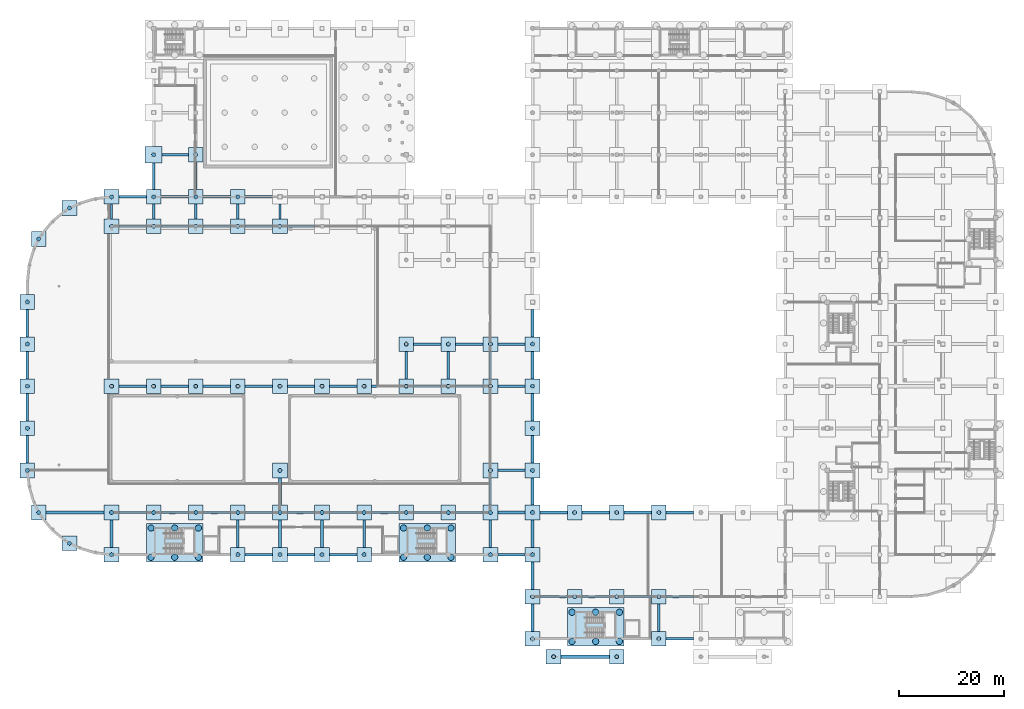
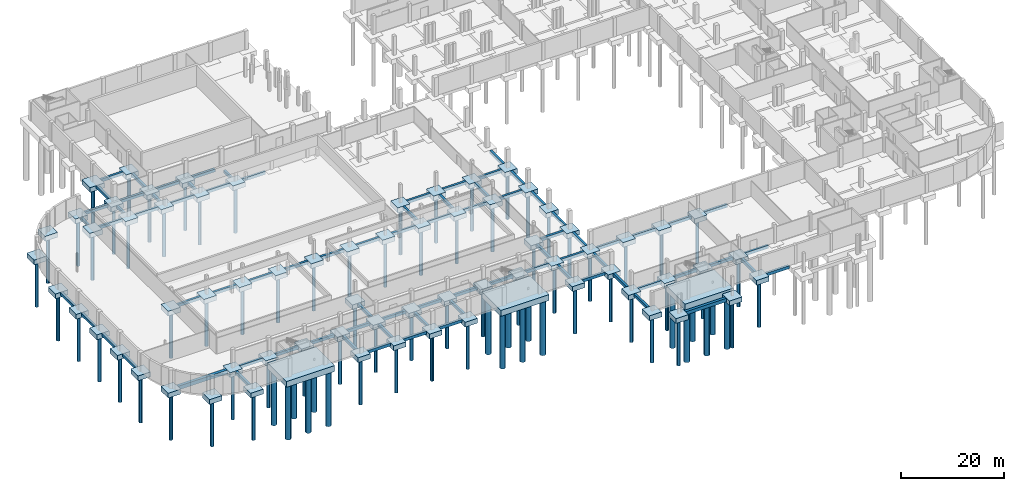
# One storey, part 1 of 29: 151 footings, 86 piles.
"""IFC4 building model written with IfcOpenShell, lengths in metres."""

from ifc_helpers import new_model, si_unit, direction, frame, origin, origin_2d, place, context, subcontext, project, spatial, rectangle, circle, extrude, material, material_profile, profile_set, type_object, element, save


model = new_model("IFC4")

# Units and contexts
model_context = context("Model", 3, precision=1e-05, world=origin(), true_north=direction((0.0, 1.0)))
body_context = subcontext(model_context, "Body", "Model", "MODEL_VIEW")
ifc_project = project(units=[si_unit("LENGTHUNIT", "METRE"), si_unit("AREAUNIT", "SQUARE_METRE"), si_unit("VOLUMEUNIT", "CUBIC_METRE"), si_unit("PLANEANGLEUNIT", "RADIAN"), si_unit("MASSUNIT", "GRAM", prefix="KILO")], contexts=[model_context])

# Site, building, storey
site_placement = place(None, origin())
site = spatial("IfcSite", under=ifc_project, at=site_placement, CompositionType="ELEMENT")
building_placement = place(site_placement, origin())
building = spatial("IfcBuilding", under=site, at=building_placement, Name="Drelvana Railside Aquatics Centre", CompositionType="ELEMENT")
storey_placement = place(building_placement, frame((0.0, 0.0, -4.800048828125)))
storey = spatial("IfcBuildingStorey", under=building, at=storey_placement, Name="B1", CompositionType="ELEMENT", Elevation=-4.800048828125)

# Footings
ifc_material = material(Name="Concrete C35/45", Category="concrete")
ifc_material_profile_1 = material_profile(ifc_material, rectangle(XDim=0.449951171875, YDim=0.64990234375, at=origin_2d()), Name="GB 450x650")
ifc_profile_set_1 = profile_set([ifc_material_profile_1], Name="Concrete C35/45")
footing_type_1 = type_object("IfcFootingType", Name="STR-GB-450x650", PredefinedType="FOOTING_BEAM", material=ifc_profile_set_1)
for number, where, z_axis, x_axis, name in (
    (1, (16.0, 79.800048828125, -0.324951171875), (0.0, 1.0, 0.0), (-1.0, 0.0, 0.0), "Foundation tie beam GB-133"),
    (2, (24.0, 79.800048828125, -0.324951171875), (0.0, 1.0, 0.0), (-1.0, 0.0, 0.0), "Foundation tie beam GB-135"),
    (3, (32.0, 79.800048828125, -0.324951171875), (0.0, 1.0, 0.0), (-1.0, 0.0, 0.0), "Foundation tie beam GB-137"),
    (4, (40.0, 79.800048828125, -0.324951171875), (0.0, 1.0, 0.0), (-1.0, 0.0, 0.0), "Foundation tie beam GB-139"),
    (5, (48.0, 79.800048828125, -0.324951171875), (0.0, 1.0, 0.0), (-1.0, 0.0, 0.0), "Foundation tie beam GB-141"),
):
    element("IfcFooting", number, at=place(storey_placement, frame(where, z_axis=z_axis, x_axis=x_axis)), inside=storey, type_object=footing_type_1, Name=name, PredefinedType="FOOTING_BEAM", context=body_context, shape_type="SweptSolid", body=[
        extrude(rectangle(XDim=0.449951171875, YDim=0.64990234375, at=origin_2d()), origin(), (0.0, 0.0, 1.0), 2.800048828125),
    ])
ifc_material_profile_2 = material_profile(ifc_material, rectangle(XDim=0.5, YDim=0.699951171875, at=origin_2d()), Name="GB 500x700")
ifc_profile_set_2 = profile_set([ifc_material_profile_2], Name="Concrete C35/45")
footing_type_2 = type_object("IfcFootingType", Name="STR-GB-500x700", PredefinedType="FOOTING_BEAM", material=ifc_profile_set_2)
for number, where, z_axis, x_axis, name in (
    (6, (96.0, 1.39990234375, -0.349853515625), (0.0, 1.0, 0.0), (-1.0, 0.0, 0.0), "Foundation tie beam GB-003"),
    (7, (121.39990234375, 0.0, -0.349853515625), (1.0, 0.0, 0.0), (0.0, 1.0, 0.0), "Foundation tie beam GB-004"),
    (8, (120.0, 1.39990234375, -0.349853515625), (0.0, 1.0, 0.0), (-1.0, 0.0, 0.0), "Foundation tie beam GB-005"),
    (9, (97.39990234375, 8.0, -0.349853515625), (1.0, 0.0, 0.0), (0.0, 1.0, 0.0), "Foundation tie beam GB-007"),
    (10, (96.0, 9.39990234375, -0.349853515625), (0.0, 1.0, 0.0), (-1.0, 0.0, 0.0), "Foundation tie beam GB-008"),
    (11, (105.39990234375, 8.0, -0.349853515625), (1.0, 0.0, 0.0), (0.0, 1.0, 0.0), "Foundation tie beam GB-009"),
    (12, (113.39990234375, 8.0, -0.349853515625), (1.0, 0.0, 0.0), (0.0, 1.0, 0.0), "Foundation tie beam GB-010"),
    (13, (121.39990234375, 8.0, -0.349853515625), (1.0, 0.0, 0.0), (0.0, 1.0, 0.0), "Foundation tie beam GB-011"),
    (14, (16.0, 17.39990234375, -0.349853515625), (0.0, 1.0, 0.0), (-1.0, 0.0, 0.0), "Foundation tie beam GB-025"),
    (15, (41.39990234375, 16.0, -0.349853515625), (1.0, 0.0, 0.0), (0.0, 1.0, 0.0), "Foundation tie beam GB-026"),
    (16, (40.0, 17.39990234375, -0.349853515625), (0.0, 1.0, 0.0), (-1.0, 0.0, 0.0), "Foundation tie beam GB-027"),
    (17, (49.39990234375, 16.0, -0.349853515625), (1.0, 0.0, 0.0), (0.0, 1.0, 0.0), "Foundation tie beam GB-028"),
    (18, (48.0, 17.39990234375, -0.349853515625), (0.0, 1.0, 0.0), (-1.0, 0.0, 0.0), "Foundation tie beam GB-029"),
    (19, (57.39990234375, 16.0, -0.349853515625), (1.0, 0.0, 0.0), (0.0, 1.0, 0.0), "Foundation tie beam GB-030"),
    (20, (56.0, 17.39990234375, -0.349853515625), (0.0, 1.0, 0.0), (-1.0, 0.0, 0.0), "Foundation tie beam GB-031"),
    (21, (64.0, 17.39990234375, -0.349853515625), (0.0, 1.0, 0.0), (-1.0, 0.0, 0.0), "Foundation tie beam GB-032"),
    (22, (89.39990234375, 16.0, -0.349853515625), (1.0, 0.0, 0.0), (0.0, 1.0, 0.0), "Foundation tie beam GB-033"),
    (23, (88.0, 17.39990234375, -0.349853515625), (0.0, 1.0, 0.0), (-1.0, 0.0, 0.0), "Foundation tie beam GB-034"),
    (24, (96.0, 17.39990234375, -0.349853515625), (0.0, 1.0, 0.0), (-1.0, 0.0, 0.0), "Foundation tie beam GB-035"),
    (25, (17.39990234375, 24.0, -0.349853515625), (1.0, 0.0, 0.0), (0.0, 1.0, 0.0), "Foundation tie beam GB-042"),
    (26, (25.39990234375, 24.0, -0.349853515625), (1.0, 0.0, 0.0), (0.0, 1.0, 0.0), "Foundation tie beam GB-043"),
    (27, (33.39990234375, 24.0, -0.349853515625), (1.0, 0.0, 0.0), (0.0, 1.0, 0.0), "Foundation tie beam GB-044"),
    (28, (41.39990234375, 24.0, -0.349853515625), (1.0, 0.0, 0.0), (0.0, 1.0, 0.0), "Foundation tie beam GB-045"),
    (29, (49.39990234375, 24.0, -0.349853515625), (1.0, 0.0, 0.0), (0.0, 1.0, 0.0), "Foundation tie beam GB-046"),
    (30, (48.0, 25.39990234375, -0.349853515625), (0.0, 1.0, 0.0), (-1.0, 0.0, 0.0), "Foundation tie beam GB-047"),
    (31, (57.39990234375, 24.0, -0.349853515625), (1.0, 0.0, 0.0), (0.0, 1.0, 0.0), "Foundation tie beam GB-048"),
    (32, (65.39990234375, 24.0, -0.349853515625), (1.0, 0.0, 0.0), (0.0, 1.0, 0.0), "Foundation tie beam GB-049"),
    (33, (73.39990234375, 24.0, -0.349853515625), (1.0, 0.0, 0.0), (0.0, 1.0, 0.0), "Foundation tie beam GB-050"),
    (34, (81.39990234375, 24.0, -0.349853515625), (1.0, 0.0, 0.0), (0.0, 1.0, 0.0), "Foundation tie beam GB-051"),
    (35, (89.39990234375, 24.0, -0.349853515625), (1.0, 0.0, 0.0), (0.0, 1.0, 0.0), "Foundation tie beam GB-052"),
    (36, (88.0, 25.39990234375, -0.349853515625), (0.0, 1.0, 0.0), (-1.0, 0.0, 0.0), "Foundation tie beam GB-053"),
    (37, (97.39990234375, 24.0, -0.349853515625), (1.0, 0.0, 0.0), (0.0, 1.0, 0.0), "Foundation tie beam GB-054"),
    (38, (96.0, 25.39990234375, -0.349853515625), (0.0, 1.0, 0.0), (-1.0, 0.0, 0.0), "Foundation tie beam GB-055"),
    (39, (105.39990234375, 24.0, -0.349853515625), (1.0, 0.0, 0.0), (0.0, 1.0, 0.0), "Foundation tie beam GB-056"),
    (40, (113.39990234375, 24.0, -0.349853515625), (1.0, 0.0, 0.0), (0.0, 1.0, 0.0), "Foundation tie beam GB-057"),
    (41, (121.39990234375, 24.0, -0.349853515625), (1.0, 0.0, 0.0), (0.0, 1.0, 0.0), "Foundation tie beam GB-058"),
    (42, (0.0, 33.39990234375, -0.349853515625), (0.0, 1.0, 0.0), (-1.0, 0.0, 0.0), "Foundation tie beam GB-066"),
    (43, (89.39990234375, 32.0, -0.349853515625), (1.0, 0.0, 0.0), (0.0, 1.0, 0.0), "Foundation tie beam GB-067"),
    (44, (96.0, 33.39990234375, -0.349853515625), (0.0, 1.0, 0.0), (-1.0, 0.0, 0.0), "Foundation tie beam GB-068"),
    (45, (0.0, 41.39990234375, -0.349853515625), (0.0, 1.0, 0.0), (-1.0, 0.0, 0.0), "Foundation tie beam GB-076"),
    (46, (96.0, 41.39990234375, -0.349853515625), (0.0, 1.0, 0.0), (-1.0, 0.0, 0.0), "Foundation tie beam GB-077"),
    (47, (0.0, 49.39990234375, -0.349853515625), (0.0, 1.0, 0.0), (-1.0, 0.0, 0.0), "Foundation tie beam GB-086"),
    (48, (17.39990234375, 48.0, -0.349853515625), (1.0, 0.0, 0.0), (0.0, 1.0, 0.0), "Foundation tie beam GB-087"),
    (49, (25.39990234375, 48.0, -0.349853515625), (1.0, 0.0, 0.0), (0.0, 1.0, 0.0), "Foundation tie beam GB-088"),
    (50, (33.39990234375, 48.0, -0.349853515625), (1.0, 0.0, 0.0), (0.0, 1.0, 0.0), "Foundation tie beam GB-089"),
    (51, (41.39990234375, 48.0, -0.349853515625), (1.0, 0.0, 0.0), (0.0, 1.0, 0.0), "Foundation tie beam GB-090"),
    (52, (49.39990234375, 48.0, -0.349853515625), (1.0, 0.0, 0.0), (0.0, 1.0, 0.0), "Foundation tie beam GB-091"),
    (53, (57.39990234375, 48.0, -0.349853515625), (1.0, 0.0, 0.0), (0.0, 1.0, 0.0), "Foundation tie beam GB-092"),
    (54, (65.39990234375, 48.0, -0.349853515625), (1.0, 0.0, 0.0), (0.0, 1.0, 0.0), "Foundation tie beam GB-093"),
    (55, (73.39990234375, 48.0, -0.349853515625), (1.0, 0.0, 0.0), (0.0, 1.0, 0.0), "Foundation tie beam GB-094"),
    (56, (72.0, 49.39990234375, -0.349853515625), (0.0, 1.0, 0.0), (-1.0, 0.0, 0.0), "Foundation tie beam GB-095"),
    (57, (81.39990234375, 48.0, -0.349853515625), (1.0, 0.0, 0.0), (0.0, 1.0, 0.0), "Foundation tie beam GB-096"),
    (58, (80.0, 49.39990234375, -0.349853515625), (0.0, 1.0, 0.0), (-1.0, 0.0, 0.0), "Foundation tie beam GB-097"),
    (59, (89.39990234375, 48.0, -0.349853515625), (1.0, 0.0, 0.0), (0.0, 1.0, 0.0), "Foundation tie beam GB-098"),
    (60, (88.0, 49.39990234375, -0.349853515625), (0.0, 1.0, 0.0), (-1.0, 0.0, 0.0), "Foundation tie beam GB-099"),
    (61, (96.0, 49.39990234375, -0.349853515625), (0.0, 1.0, 0.0), (-1.0, 0.0, 0.0), "Foundation tie beam GB-100"),
    (62, (0.0, 57.39990234375, -0.349853515625), (0.0, 1.0, 0.0), (-1.0, 0.0, 0.0), "Foundation tie beam GB-107"),
    (63, (73.39990234375, 56.0, -0.349853515625), (1.0, 0.0, 0.0), (0.0, 1.0, 0.0), "Foundation tie beam GB-108"),
    (64, (81.39990234375, 56.0, -0.349853515625), (1.0, 0.0, 0.0), (0.0, 1.0, 0.0), "Foundation tie beam GB-109"),
    (65, (89.39990234375, 56.0, -0.349853515625), (1.0, 0.0, 0.0), (0.0, 1.0, 0.0), "Foundation tie beam GB-110"),
    (66, (96.0, 57.39990234375, -0.349853515625), (0.0, 1.0, 0.0), (-1.0, 0.0, 0.0), "Foundation tie beam GB-111"),
    (67, (17.39990234375, 78.39990234375, -0.349853515625), (1.0, 0.0, 0.0), (0.0, 1.0, 0.0), "Foundation tie beam GB-132"),
    (68, (25.39990234375, 78.39990234375, -0.349853515625), (1.0, 0.0, 0.0), (0.0, 1.0, 0.0), "Foundation tie beam GB-134"),
    (69, (33.39990234375, 78.39990234375, -0.349853515625), (1.0, 0.0, 0.0), (0.0, 1.0, 0.0), "Foundation tie beam GB-136"),
    (70, (41.39990234375, 78.39990234375, -0.349853515625), (1.0, 0.0, 0.0), (0.0, 1.0, 0.0), "Foundation tie beam GB-138"),
    (71, (49.39990234375, 78.39990234375, -0.349853515625), (1.0, 0.0, 0.0), (0.0, 1.0, 0.0), "Foundation tie beam GB-140"),
    (72, (17.39990234375, 84.0, -0.349853515625), (1.0, 0.0, 0.0), (0.0, 1.0, 0.0), "Foundation tie beam GB-155"),
    (73, (25.39990234375, 84.0, -0.349853515625), (1.0, 0.0, 0.0), (0.0, 1.0, 0.0), "Foundation tie beam GB-156"),
):
    element("IfcFooting", number, at=place(storey_placement, frame(where, z_axis=z_axis, x_axis=x_axis)), inside=storey, type_object=footing_type_2, Name=name, PredefinedType="FOOTING_BEAM", context=body_context, shape_type="SweptSolid", body=[
        extrude(rectangle(XDim=0.5, YDim=0.699951171875, at=origin_2d()), origin(), (0.0, 0.0, 1.0), 5.2001953125),
    ])
footing_1_placement = place(storey_placement, frame((24.0, 85.39990234375, -0.349853515625), z_axis=(0.0, 1.0, 0.0), x_axis=(-1.0, 0.0, 0.0)))
element("IfcFooting", 74, at=footing_1_placement, inside=storey, type_object=footing_type_2, Name="Foundation tie beam GB-157", PredefinedType="FOOTING_BEAM", context=body_context, shape_type="SweptSolid", body=[
    extrude(rectangle(XDim=0.5, YDim=0.699951171875, at=origin_2d()), origin(), (0.0, 0.0, 1.0), 5.0),
])
for number, where, z_axis, x_axis, name in (
    (75, (33.39990234375, 84.0, -0.349853515625), (1.0, 0.0, 0.0), (0.0, 1.0, 0.0), "Foundation tie beam GB-158"),
    (76, (32.0, 85.39990234375, -0.349853515625), (0.0, 1.0, 0.0), (-1.0, 0.0, 0.0), "Foundation tie beam GB-159"),
    (77, (41.39990234375, 84.0, -0.349853515625), (1.0, 0.0, 0.0), (0.0, 1.0, 0.0), "Foundation tie beam GB-160"),
):
    element("IfcFooting", number, at=place(storey_placement, frame(where, z_axis=z_axis, x_axis=x_axis)), inside=storey, type_object=footing_type_2, Name=name, PredefinedType="FOOTING_BEAM", context=body_context, shape_type="SweptSolid", body=[
        extrude(rectangle(XDim=0.5, YDim=0.699951171875, at=origin_2d()), origin(), (0.0, 0.0, 1.0), 5.2001953125),
    ])
footing_2_placement = place(storey_placement, frame((25.60009765625, 92.0, -0.349853515625), z_axis=(1.0, 0.0, 0.0), x_axis=(0.0, 1.0, 0.0)))
element("IfcFooting", 78, at=footing_2_placement, inside=storey, type_object=footing_type_2, Name="Foundation tie beam GB-186", PredefinedType="FOOTING_BEAM", context=body_context, shape_type="SweptSolid", body=[
    extrude(rectangle(XDim=0.5, YDim=0.699951171875, at=origin_2d()), origin(), (0.0, 0.0, 1.0), 5.0),
])
ifc_material_profile_3 = material_profile(ifc_material, rectangle(XDim=0.60009765625, YDim=0.800048828125, at=origin_2d()), Name="GB 600x800")
ifc_profile_set_3 = profile_set([ifc_material_profile_3], Name="Concrete C35/45")
footing_type_3 = type_object("IfcFootingType", Name="STR-GB-600x800", PredefinedType="FOOTING_BEAM", material=ifc_profile_set_3)
footing_3_placement = place(storey_placement, frame((101.39990234375, -3.39990234375, -0.39990234375), z_axis=(1.0, 0.0, 0.0), x_axis=(0.0, 1.0, 0.0)))
element("IfcFooting", 79, at=footing_3_placement, inside=storey, type_object=footing_type_3, Name="Foundation tie beam GB-001", PredefinedType="FOOTING_BEAM", context=body_context, shape_type="SweptSolid", body=[
    extrude(rectangle(XDim=0.60009765625, YDim=0.800048828125, at=origin_2d()), origin(), (0.0, 0.0, 1.0), 9.2001953125),
])
ifc_material_profile_4 = material_profile(ifc_material, rectangle(XDim=0.64990234375, YDim=0.89990234375, at=origin_2d()), Name="GB 650x900")
ifc_profile_set_4 = profile_set([ifc_material_profile_4], Name="Concrete C35/45")
footing_type_4 = type_object("IfcFootingType", Name="STR-GB-650x900", PredefinedType="FOOTING_BEAM", material=ifc_profile_set_4)
footing_4_placement = place(storey_placement, frame((3.5439453125, 24.0, -0.449951171875), z_axis=(1.0, 0.0, 0.0), x_axis=(0.0, 1.0, 0.0)))
element("IfcFooting", 80, at=footing_4_placement, inside=storey, type_object=footing_type_4, Name="Foundation tie beam GB-041", PredefinedType="FOOTING_BEAM", context=body_context, shape_type="SweptSolid", body=[
    extrude(rectangle(XDim=0.64990234375, YDim=0.89990234375, at=origin_2d()), origin(), (0.0, 0.0, 1.0), 11.05615234375),
])
footing_type_5 = type_object("IfcFootingType", Name="STR-PC-10800x7350x1400", PredefinedType="PILE_CAP", material=ifc_material)
for number, where, z_axis, x_axis, name in (
    (81, (108.0, 2.27490234375, -1.39990234375), (0.0, 0.0, 1.0), (1.0, 0.0, 0.0), "Combined pile cap PC-006"),
    (82, (28.0, 18.27490234375, -1.39990234375), (0.0, 0.0, 1.0), (1.0, 0.0, 0.0), "Combined pile cap PC-024"),
    (83, (76.0, 18.27490234375, -1.39990234375), (0.0, 0.0, 1.0), (1.0, 0.0, 0.0), "Combined pile cap PC-029"),
):
    element("IfcFooting", number, at=place(storey_placement, frame(where, z_axis=z_axis, x_axis=x_axis)), inside=storey, type_object=footing_type_5, Name=name, PredefinedType="PILE_CAP", context=body_context, shape_type="SweptSolid", body=[
        extrude(rectangle(XDim=10.800048828125, YDim=7.35009765625, at=origin_2d()), origin(), (0.0, 0.0, 1.0), 1.39990234375),
    ])
footing_type_6 = type_object("IfcFootingType", Name="STR-PC-2800x2800x1150", PredefinedType="PILE_CAP", material=ifc_material)
for number, where, z_axis, x_axis, name in (
    (84, (100.0, -3.39990234375, -1.14990234375), (0.0, 0.0, 1.0), (1.0, 0.0, 0.0), "Combined pile cap PC-001"),
    (85, (112.0, -3.39990234375, -1.14990234375), (0.0, 0.0, 1.0), (1.0, 0.0, 0.0), "Combined pile cap PC-002"),
    (86, (96.0, 0.0, -1.14990234375), (0.0, 0.0, 1.0), (1.0, 0.0, 0.0), "Combined pile cap PC-005"),
    (87, (120.0, 0.0, -1.14990234375), (0.0, 0.0, 1.0), (1.0, 0.0, 0.0), "Combined pile cap PC-007"),
    (88, (96.0, 8.0, -1.14990234375), (0.0, 0.0, 1.0), (1.0, 0.0, 0.0), "Combined pile cap PC-010"),
    (89, (104.0, 8.0, -1.14990234375), (0.0, 0.0, 1.0), (1.0, 0.0, 0.0), "Combined pile cap PC-011"),
    (90, (112.0, 8.0, -1.14990234375), (0.0, 0.0, 1.0), (1.0, 0.0, 0.0), "Combined pile cap PC-012"),
    (91, (120.0, 8.0, -1.14990234375), (0.0, 0.0, 1.0), (1.0, 0.0, 0.0), "Combined pile cap PC-013"),
    (92, (16.0, 16.0, -1.14990234375), (0.0, 0.0, 1.0), (1.0, 0.0, 0.0), "Combined pile cap PC-023"),
    (93, (40.0, 16.0, -1.14990234375), (0.0, 0.0, 1.0), (1.0, 0.0, 0.0), "Combined pile cap PC-025"),
    (94, (48.0, 16.0, -1.14990234375), (0.0, 0.0, 1.0), (1.0, 0.0, 0.0), "Combined pile cap PC-026"),
    (95, (56.0, 16.0, -1.14990234375), (0.0, 0.0, 1.0), (1.0, 0.0, 0.0), "Combined pile cap PC-027"),
    (96, (64.0, 16.0, -1.14990234375), (0.0, 0.0, 1.0), (1.0, 0.0, 0.0), "Combined pile cap PC-028"),
    (97, (88.0, 16.0, -1.14990234375), (0.0, 0.0, 1.0), (1.0, 0.0, 0.0), "Combined pile cap PC-030"),
    (98, (96.0, 16.0, -1.14990234375), (0.0, 0.0, 1.0), (1.0, 0.0, 0.0), "Combined pile cap PC-031"),
    (99, (8.0, 18.14404296875, -1.14990234375), (0.0, 0.0, 1.0), (1.0, 0.0, 0.0), "Combined pile cap PC-034"),
    (100, (2.14404296875, 24.0, -1.14990234375), (0.0, 0.0, 1.0), (1.0, 0.0, 0.0), "Combined pile cap PC-039"),
    (101, (16.0, 24.0, -1.14990234375), (0.0, 0.0, 1.0), (1.0, 0.0, 0.0), "Combined pile cap PC-040"),
    (102, (24.0, 24.0, -1.14990234375), (0.0, 0.0, 1.0), (1.0, 0.0, 0.0), "Combined pile cap PC-041"),
    (103, (32.0, 24.0, -1.14990234375), (0.0, 0.0, 1.0), (1.0, 0.0, 0.0), "Combined pile cap PC-042"),
    (104, (40.0, 24.0, -1.14990234375), (0.0, 0.0, 1.0), (1.0, 0.0, 0.0), "Combined pile cap PC-043"),
    (105, (48.0, 24.0, -1.14990234375), (0.0, 0.0, 1.0), (1.0, 0.0, 0.0), "Combined pile cap PC-044"),
    (106, (56.0, 24.0, -1.14990234375), (0.0, 0.0, 1.0), (1.0, 0.0, 0.0), "Combined pile cap PC-045"),
    (107, (64.0, 24.0, -1.14990234375), (0.0, 0.0, 1.0), (1.0, 0.0, 0.0), "Combined pile cap PC-046"),
    (108, (72.0, 24.0, -1.14990234375), (0.0, 0.0, 1.0), (1.0, 0.0, 0.0), "Combined pile cap PC-047"),
    (109, (80.0, 24.0, -1.14990234375), (0.0, 0.0, 1.0), (1.0, 0.0, 0.0), "Combined pile cap PC-048"),
    (110, (88.0, 24.0, -1.14990234375), (0.0, 0.0, 1.0), (1.0, 0.0, 0.0), "Combined pile cap PC-049"),
    (111, (96.0, 24.0, -1.14990234375), (0.0, 0.0, 1.0), (1.0, 0.0, 0.0), "Combined pile cap PC-050"),
    (112, (104.0, 24.0, -1.14990234375), (0.0, 0.0, 1.0), (1.0, 0.0, 0.0), "Combined pile cap PC-051"),
    (113, (112.0, 24.0, -1.14990234375), (0.0, 0.0, 1.0), (1.0, 0.0, 0.0), "Combined pile cap PC-052"),
    (114, (120.0, 24.0, -1.14990234375), (0.0, 0.0, 1.0), (1.0, 0.0, 0.0), "Combined pile cap PC-053"),
    (115, (0.0, 32.0, -1.14990234375), (0.0, 0.0, 1.0), (1.0, 0.0, 0.0), "Combined pile cap PC-061"),
    (116, (48.0, 32.0, -1.14990234375), (0.0, 0.0, 1.0), (1.0, 0.0, 0.0), "Combined pile cap PC-062"),
    (117, (88.0, 32.0, -1.14990234375), (0.0, 0.0, 1.0), (1.0, 0.0, 0.0), "Combined pile cap PC-063"),
    (118, (96.0, 32.0, -1.14990234375), (0.0, 0.0, 1.0), (1.0, 0.0, 0.0), "Combined pile cap PC-064"),
    (119, (0.0, 40.0, -1.14990234375), (0.0, 0.0, 1.0), (1.0, 0.0, 0.0), "Combined pile cap PC-069"),
    (120, (96.0, 40.0, -1.14990234375), (0.0, 0.0, 1.0), (1.0, 0.0, 0.0), "Combined pile cap PC-070"),
    (121, (0.0, 48.0, -1.14990234375), (0.0, 0.0, 1.0), (1.0, 0.0, 0.0), "Combined pile cap PC-076"),
    (122, (16.0, 48.0, -1.14990234375), (0.0, 0.0, 1.0), (1.0, 0.0, 0.0), "Combined pile cap PC-077"),
    (123, (24.0, 48.0, -1.14990234375), (0.0, 0.0, 1.0), (1.0, 0.0, 0.0), "Combined pile cap PC-078"),
    (124, (32.0, 48.0, -1.14990234375), (0.0, 0.0, 1.0), (1.0, 0.0, 0.0), "Combined pile cap PC-079"),
    (125, (40.0, 48.0, -1.14990234375), (0.0, 0.0, 1.0), (1.0, 0.0, 0.0), "Combined pile cap PC-080"),
    (126, (48.0, 48.0, -1.14990234375), (0.0, 0.0, 1.0), (1.0, 0.0, 0.0), "Combined pile cap PC-081"),
    (127, (56.0, 48.0, -1.14990234375), (0.0, 0.0, 1.0), (1.0, 0.0, 0.0), "Combined pile cap PC-082"),
    (128, (64.0, 48.0, -1.14990234375), (0.0, 0.0, 1.0), (1.0, 0.0, 0.0), "Combined pile cap PC-083"),
    (129, (72.0, 48.0, -1.14990234375), (0.0, 0.0, 1.0), (1.0, 0.0, 0.0), "Combined pile cap PC-084"),
    (130, (80.0, 48.0, -1.14990234375), (0.0, 0.0, 1.0), (1.0, 0.0, 0.0), "Combined pile cap PC-085"),
    (131, (88.0, 48.0, -1.14990234375), (0.0, 0.0, 1.0), (1.0, 0.0, 0.0), "Combined pile cap PC-086"),
    (132, (96.0, 48.0, -1.14990234375), (0.0, 0.0, 1.0), (1.0, 0.0, 0.0), "Combined pile cap PC-087"),
    (133, (0.0, 56.0, -1.14990234375), (0.0, 0.0, 1.0), (1.0, 0.0, 0.0), "Combined pile cap PC-093"),
    (134, (72.0, 56.0, -1.14990234375), (0.0, 0.0, 1.0), (1.0, 0.0, 0.0), "Combined pile cap PC-094"),
    (135, (80.0, 56.0, -1.14990234375), (0.0, 0.0, 1.0), (1.0, 0.0, 0.0), "Combined pile cap PC-095"),
    (136, (88.0, 56.0, -1.14990234375), (0.0, 0.0, 1.0), (1.0, 0.0, 0.0), "Combined pile cap PC-096"),
    (137, (96.0, 56.0, -1.14990234375), (0.0, 0.0, 1.0), (1.0, 0.0, 0.0), "Combined pile cap PC-097"),
    (138, (0.0, 64.0, -1.14990234375), (0.0, 0.0, 1.0), (1.0, 0.0, 0.0), "Combined pile cap PC-102"),
    (139, (2.14404296875, 76.0, -1.14990234375), (0.0, 0.0, 1.0), (1.0, 0.0, 0.0), "Combined pile cap PC-113"),
    (140, (16.0, 78.39990234375, -1.14990234375), (0.0, 0.0, 1.0), (1.0, 0.0, 0.0), "Combined pile cap PC-114"),
    (141, (24.0, 78.39990234375, -1.14990234375), (0.0, 0.0, 1.0), (1.0, 0.0, 0.0), "Combined pile cap PC-115"),
    (142, (32.0, 78.39990234375, -1.14990234375), (0.0, 0.0, 1.0), (1.0, 0.0, 0.0), "Combined pile cap PC-116"),
    (143, (40.0, 78.39990234375, -1.14990234375), (0.0, 0.0, 1.0), (1.0, 0.0, 0.0), "Combined pile cap PC-117"),
    (144, (48.0, 78.39990234375, -1.14990234375), (0.0, 0.0, 1.0), (1.0, 0.0, 0.0), "Combined pile cap PC-118"),
    (145, (8.0, 81.85595703125, -1.14990234375), (0.0, 0.0, 1.0), (1.0, 0.0, 0.0), "Combined pile cap PC-127"),
    (146, (16.0, 84.0, -1.14990234375), (0.0, 0.0, 1.0), (1.0, 0.0, 0.0), "Combined pile cap PC-128"),
    (147, (24.0, 84.0, -1.14990234375), (0.0, 0.0, 1.0), (1.0, 0.0, 0.0), "Combined pile cap PC-129"),
    (148, (32.0, 84.0, -1.14990234375), (0.0, 0.0, 1.0), (1.0, 0.0, 0.0), "Combined pile cap PC-130"),
    (149, (40.0, 84.0, -1.14990234375), (0.0, 0.0, 1.0), (1.0, 0.0, 0.0), "Combined pile cap PC-131"),
    (150, (32.0, 92.0, -1.14990234375), (0.0, 0.0, 1.0), (1.0, 0.0, 0.0), "Combined pile cap PC-152"),
):
    element("IfcFooting", number, at=place(storey_placement, frame(where, z_axis=z_axis, x_axis=x_axis)), inside=storey, type_object=footing_type_6, Name=name, PredefinedType="PILE_CAP", context=body_context, shape_type="SweptSolid", body=[
        extrude(rectangle(XDim=2.800048828125, YDim=2.800048828125, at=origin_2d()), origin(), (0.0, 0.0, 1.0), 1.14990234375),
    ])
footing_type_7 = type_object("IfcFootingType", Name="STR-PC-3200x3200x1150", PredefinedType="PILE_CAP", material=ifc_material)
footing_5_placement = place(storey_placement, frame((24.0, 92.0, -1.14990234375), z_axis=(0.0, 0.0, 1.0), x_axis=(1.0, 0.0, 0.0)))
element("IfcFooting", 151, at=footing_5_placement, inside=storey, type_object=footing_type_7, Name="Combined pile cap PC-150", PredefinedType="PILE_CAP", context=body_context, shape_type="SweptSolid", body=[
    extrude(rectangle(XDim=3.199951171875, YDim=3.199951171875, at=origin_2d()), origin(), (0.0, 0.0, 1.0), 1.14990234375),
])

# Piles
ifc_material_profile_5 = material_profile(ifc_material, circle(Radius=0.60009765625, at=origin_2d()), Name="PILE D1200")
ifc_profile_set_5 = profile_set([ifc_material_profile_5], Name="Concrete C35/45")
pile_type_1 = type_object("IfcPileType", Name="STR-PILE-1200", PredefinedType="BORED", material=ifc_profile_set_5)
for number, where, z_axis, x_axis, name in (
    (152, (103.5, -0.5, -1.300048828125), (0.0, 0.0, -1.0), (1.0, 0.0, 0.0), "Bored pile PL-006-01"),
    (153, (103.5, 5.050048828125, -1.300048828125), (0.0, 0.0, -1.0), (1.0, 0.0, 0.0), "Bored pile PL-006-02"),
    (154, (108.0, -0.5, -1.300048828125), (0.0, 0.0, -1.0), (1.0, 0.0, 0.0), "Bored pile PL-006-03"),
    (155, (108.0, 5.050048828125, -1.300048828125), (0.0, 0.0, -1.0), (1.0, 0.0, 0.0), "Bored pile PL-006-04"),
    (156, (112.5, -0.5, -1.300048828125), (0.0, 0.0, -1.0), (1.0, 0.0, 0.0), "Bored pile PL-006-05"),
    (157, (112.5, 5.050048828125, -1.300048828125), (0.0, 0.0, -1.0), (1.0, 0.0, 0.0), "Bored pile PL-006-06"),
    (158, (23.5, 15.5, -1.300048828125), (0.0, 0.0, -1.0), (1.0, 0.0, 0.0), "Bored pile PL-024-01"),
    (159, (23.5, 21.050048828125, -1.300048828125), (0.0, 0.0, -1.0), (1.0, 0.0, 0.0), "Bored pile PL-024-02"),
    (160, (28.0, 15.5, -1.300048828125), (0.0, 0.0, -1.0), (1.0, 0.0, 0.0), "Bored pile PL-024-03"),
    (161, (28.0, 21.050048828125, -1.300048828125), (0.0, 0.0, -1.0), (1.0, 0.0, 0.0), "Bored pile PL-024-04"),
    (162, (32.5, 15.5, -1.300048828125), (0.0, 0.0, -1.0), (1.0, 0.0, 0.0), "Bored pile PL-024-05"),
    (163, (32.5, 21.050048828125, -1.300048828125), (0.0, 0.0, -1.0), (1.0, 0.0, 0.0), "Bored pile PL-024-06"),
    (164, (71.5, 15.5, -1.300048828125), (0.0, 0.0, -1.0), (1.0, 0.0, 0.0), "Bored pile PL-029-01"),
    (165, (71.5, 21.050048828125, -1.300048828125), (0.0, 0.0, -1.0), (1.0, 0.0, 0.0), "Bored pile PL-029-02"),
    (166, (76.0, 15.5, -1.300048828125), (0.0, 0.0, -1.0), (1.0, 0.0, 0.0), "Bored pile PL-029-03"),
    (167, (76.0, 21.050048828125, -1.300048828125), (0.0, 0.0, -1.0), (1.0, 0.0, 0.0), "Bored pile PL-029-04"),
    (168, (80.5, 15.5, -1.300048828125), (0.0, 0.0, -1.0), (1.0, 0.0, 0.0), "Bored pile PL-029-05"),
    (169, (80.5, 21.050048828125, -1.300048828125), (0.0, 0.0, -1.0), (1.0, 0.0, 0.0), "Bored pile PL-029-06"),
):
    element("IfcPile", number, at=place(storey_placement, frame(where, z_axis=z_axis, x_axis=x_axis)), inside=storey, type_object=pile_type_1, Name=name, PredefinedType="BORED", context=body_context, shape_type="SweptSolid", body=[
        extrude(circle(Radius=0.60009765625, at=origin_2d()), origin(), (0.0, 0.0, 1.0), 13.0),
    ])
ifc_material_profile_6 = material_profile(ifc_material, circle(Radius=0.375, at=origin_2d()), Name="PILE D750")
ifc_profile_set_6 = profile_set([ifc_material_profile_6], Name="Concrete C35/45")
pile_type_2 = type_object("IfcPileType", Name="STR-PILE-750", PredefinedType="BORED", material=ifc_profile_set_6)
for number, where, z_axis, x_axis, name in (
    (170, (100.0, -3.39990234375, -1.050048828125), (0.0, 0.0, -1.0), (1.0, 0.0, 0.0), "Bored pile PL-001-01"),
    (171, (112.0, -3.39990234375, -1.050048828125), (0.0, 0.0, -1.0), (1.0, 0.0, 0.0), "Bored pile PL-002-01"),
    (172, (96.0, 0.0, -1.050048828125), (0.0, 0.0, -1.0), (1.0, 0.0, 0.0), "Bored pile PL-005-01"),
    (173, (120.0, 0.0, -1.050048828125), (0.0, 0.0, -1.0), (1.0, 0.0, 0.0), "Bored pile PL-007-01"),
    (174, (96.0, 8.0, -1.050048828125), (0.0, 0.0, -1.0), (1.0, 0.0, 0.0), "Bored pile PL-010-01"),
    (175, (104.0, 8.0, -1.050048828125), (0.0, 0.0, -1.0), (1.0, 0.0, 0.0), "Bored pile PL-011-01"),
    (176, (112.0, 8.0, -1.050048828125), (0.0, 0.0, -1.0), (1.0, 0.0, 0.0), "Bored pile PL-012-01"),
    (177, (120.0, 8.0, -1.050048828125), (0.0, 0.0, -1.0), (1.0, 0.0, 0.0), "Bored pile PL-013-01"),
    (178, (16.0, 16.0, -1.050048828125), (0.0, 0.0, -1.0), (1.0, 0.0, 0.0), "Bored pile PL-023-01"),
    (179, (40.0, 16.0, -1.050048828125), (0.0, 0.0, -1.0), (1.0, 0.0, 0.0), "Bored pile PL-025-01"),
    (180, (48.0, 16.0, -1.050048828125), (0.0, 0.0, -1.0), (1.0, 0.0, 0.0), "Bored pile PL-026-01"),
    (181, (56.0, 16.0, -1.050048828125), (0.0, 0.0, -1.0), (1.0, 0.0, 0.0), "Bored pile PL-027-01"),
    (182, (64.0, 16.0, -1.050048828125), (0.0, 0.0, -1.0), (1.0, 0.0, 0.0), "Bored pile PL-028-01"),
    (183, (88.0, 16.0, -1.050048828125), (0.0, 0.0, -1.0), (1.0, 0.0, 0.0), "Bored pile PL-030-01"),
    (184, (96.0, 16.0, -1.050048828125), (0.0, 0.0, -1.0), (1.0, 0.0, 0.0), "Bored pile PL-031-01"),
    (185, (8.0, 18.14404296875, -1.050048828125), (0.0, 0.0, -1.0), (1.0, 0.0, 0.0), "Bored pile PL-034-01"),
    (186, (2.14404296875, 24.0, -1.050048828125), (0.0, 0.0, -1.0), (1.0, 0.0, 0.0), "Bored pile PL-039-01"),
    (187, (16.0, 24.0, -1.050048828125), (0.0, 0.0, -1.0), (1.0, 0.0, 0.0), "Bored pile PL-040-01"),
    (188, (24.0, 24.0, -1.050048828125), (0.0, 0.0, -1.0), (1.0, 0.0, 0.0), "Bored pile PL-041-01"),
    (189, (32.0, 24.0, -1.050048828125), (0.0, 0.0, -1.0), (1.0, 0.0, 0.0), "Bored pile PL-042-01"),
    (190, (40.0, 24.0, -1.050048828125), (0.0, 0.0, -1.0), (1.0, 0.0, 0.0), "Bored pile PL-043-01"),
    (191, (48.0, 24.0, -1.050048828125), (0.0, 0.0, -1.0), (1.0, 0.0, 0.0), "Bored pile PL-044-01"),
    (192, (56.0, 24.0, -1.050048828125), (0.0, 0.0, -1.0), (1.0, 0.0, 0.0), "Bored pile PL-045-01"),
    (193, (64.0, 24.0, -1.050048828125), (0.0, 0.0, -1.0), (1.0, 0.0, 0.0), "Bored pile PL-046-01"),
    (194, (72.0, 24.0, -1.050048828125), (0.0, 0.0, -1.0), (1.0, 0.0, 0.0), "Bored pile PL-047-01"),
    (195, (80.0, 24.0, -1.050048828125), (0.0, 0.0, -1.0), (1.0, 0.0, 0.0), "Bored pile PL-048-01"),
    (196, (88.0, 24.0, -1.050048828125), (0.0, 0.0, -1.0), (1.0, 0.0, 0.0), "Bored pile PL-049-01"),
    (197, (96.0, 24.0, -1.050048828125), (0.0, 0.0, -1.0), (1.0, 0.0, 0.0), "Bored pile PL-050-01"),
    (198, (104.0, 24.0, -1.050048828125), (0.0, 0.0, -1.0), (1.0, 0.0, 0.0), "Bored pile PL-051-01"),
    (199, (112.0, 24.0, -1.050048828125), (0.0, 0.0, -1.0), (1.0, 0.0, 0.0), "Bored pile PL-052-01"),
    (200, (120.0, 24.0, -1.050048828125), (0.0, 0.0, -1.0), (1.0, 0.0, 0.0), "Bored pile PL-053-01"),
    (201, (0.0, 32.0, -1.050048828125), (0.0, 0.0, -1.0), (1.0, 0.0, 0.0), "Bored pile PL-061-01"),
    (202, (48.0, 32.0, -1.050048828125), (0.0, 0.0, -1.0), (1.0, 0.0, 0.0), "Bored pile PL-062-01"),
    (203, (88.0, 32.0, -1.050048828125), (0.0, 0.0, -1.0), (1.0, 0.0, 0.0), "Bored pile PL-063-01"),
    (204, (96.0, 32.0, -1.050048828125), (0.0, 0.0, -1.0), (1.0, 0.0, 0.0), "Bored pile PL-064-01"),
    (205, (0.0, 40.0, -1.050048828125), (0.0, 0.0, -1.0), (1.0, 0.0, 0.0), "Bored pile PL-069-01"),
    (206, (96.0, 40.0, -1.050048828125), (0.0, 0.0, -1.0), (1.0, 0.0, 0.0), "Bored pile PL-070-01"),
    (207, (0.0, 48.0, -1.050048828125), (0.0, 0.0, -1.0), (1.0, 0.0, 0.0), "Bored pile PL-076-01"),
    (208, (16.0, 48.0, -1.050048828125), (0.0, 0.0, -1.0), (1.0, 0.0, 0.0), "Bored pile PL-077-01"),
    (209, (24.0, 48.0, -1.050048828125), (0.0, 0.0, -1.0), (1.0, 0.0, 0.0), "Bored pile PL-078-01"),
    (210, (32.0, 48.0, -1.050048828125), (0.0, 0.0, -1.0), (1.0, 0.0, 0.0), "Bored pile PL-079-01"),
    (211, (40.0, 48.0, -1.050048828125), (0.0, 0.0, -1.0), (1.0, 0.0, 0.0), "Bored pile PL-080-01"),
    (212, (48.0, 48.0, -1.050048828125), (0.0, 0.0, -1.0), (1.0, 0.0, 0.0), "Bored pile PL-081-01"),
    (213, (56.0, 48.0, -1.050048828125), (0.0, 0.0, -1.0), (1.0, 0.0, 0.0), "Bored pile PL-082-01"),
    (214, (64.0, 48.0, -1.050048828125), (0.0, 0.0, -1.0), (1.0, 0.0, 0.0), "Bored pile PL-083-01"),
    (215, (72.0, 48.0, -1.050048828125), (0.0, 0.0, -1.0), (1.0, 0.0, 0.0), "Bored pile PL-084-01"),
    (216, (80.0, 48.0, -1.050048828125), (0.0, 0.0, -1.0), (1.0, 0.0, 0.0), "Bored pile PL-085-01"),
    (217, (88.0, 48.0, -1.050048828125), (0.0, 0.0, -1.0), (1.0, 0.0, 0.0), "Bored pile PL-086-01"),
    (218, (96.0, 48.0, -1.050048828125), (0.0, 0.0, -1.0), (1.0, 0.0, 0.0), "Bored pile PL-087-01"),
    (219, (0.0, 56.0, -1.050048828125), (0.0, 0.0, -1.0), (1.0, 0.0, 0.0), "Bored pile PL-093-01"),
    (220, (72.0, 56.0, -1.050048828125), (0.0, 0.0, -1.0), (1.0, 0.0, 0.0), "Bored pile PL-094-01"),
    (221, (80.0, 56.0, -1.050048828125), (0.0, 0.0, -1.0), (1.0, 0.0, 0.0), "Bored pile PL-095-01"),
    (222, (88.0, 56.0, -1.050048828125), (0.0, 0.0, -1.0), (1.0, 0.0, 0.0), "Bored pile PL-096-01"),
    (223, (96.0, 56.0, -1.050048828125), (0.0, 0.0, -1.0), (1.0, 0.0, 0.0), "Bored pile PL-097-01"),
    (224, (0.0, 64.0, -1.050048828125), (0.0, 0.0, -1.0), (1.0, 0.0, 0.0), "Bored pile PL-102-01"),
    (225, (2.14404296875, 76.0, -1.050048828125), (0.0, 0.0, -1.0), (1.0, 0.0, 0.0), "Bored pile PL-113-01"),
    (226, (16.0, 78.39990234375, -1.050048828125), (0.0, 0.0, -1.0), (1.0, 0.0, 0.0), "Bored pile PL-114-01"),
    (227, (24.0, 78.39990234375, -1.050048828125), (0.0, 0.0, -1.0), (1.0, 0.0, 0.0), "Bored pile PL-115-01"),
    (228, (32.0, 78.39990234375, -1.050048828125), (0.0, 0.0, -1.0), (1.0, 0.0, 0.0), "Bored pile PL-116-01"),
    (229, (40.0, 78.39990234375, -1.050048828125), (0.0, 0.0, -1.0), (1.0, 0.0, 0.0), "Bored pile PL-117-01"),
    (230, (48.0, 78.39990234375, -1.050048828125), (0.0, 0.0, -1.0), (1.0, 0.0, 0.0), "Bored pile PL-118-01"),
    (231, (8.0, 81.85595703125, -1.050048828125), (0.0, 0.0, -1.0), (1.0, 0.0, 0.0), "Bored pile PL-127-01"),
    (232, (16.0, 84.0, -1.050048828125), (0.0, 0.0, -1.0), (1.0, 0.0, 0.0), "Bored pile PL-128-01"),
    (233, (24.0, 84.0, -1.050048828125), (0.0, 0.0, -1.0), (1.0, 0.0, 0.0), "Bored pile PL-129-01"),
    (234, (32.0, 84.0, -1.050048828125), (0.0, 0.0, -1.0), (1.0, 0.0, 0.0), "Bored pile PL-130-01"),
    (235, (40.0, 84.0, -1.050048828125), (0.0, 0.0, -1.0), (1.0, 0.0, 0.0), "Bored pile PL-131-01"),
    (236, (24.0, 92.0, -1.050048828125), (0.0, 0.0, -1.0), (1.0, 0.0, 0.0), "Bored pile PL-150-01"),
    (237, (32.0, 92.0, -1.050048828125), (0.0, 0.0, -1.0), (1.0, 0.0, 0.0), "Bored pile PL-152-01"),
):
    element("IfcPile", number, at=place(storey_placement, frame(where, z_axis=z_axis, x_axis=x_axis)), inside=storey, type_object=pile_type_2, Name=name, PredefinedType="BORED", context=body_context, shape_type="SweptSolid", body=[
        extrude(circle(Radius=0.375, at=origin_2d()), origin(), (0.0, 0.0, 1.0), 11.199951171875),
    ])

save(model, "model.ifc")
